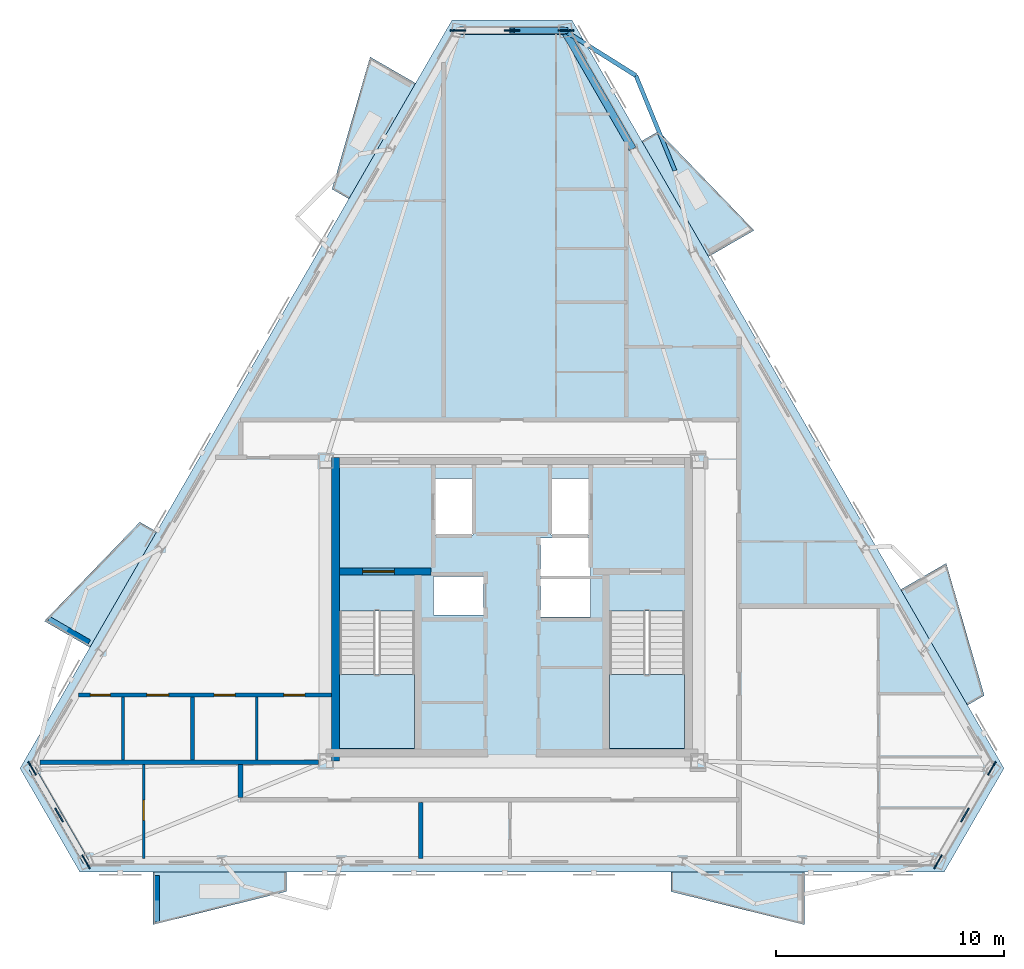
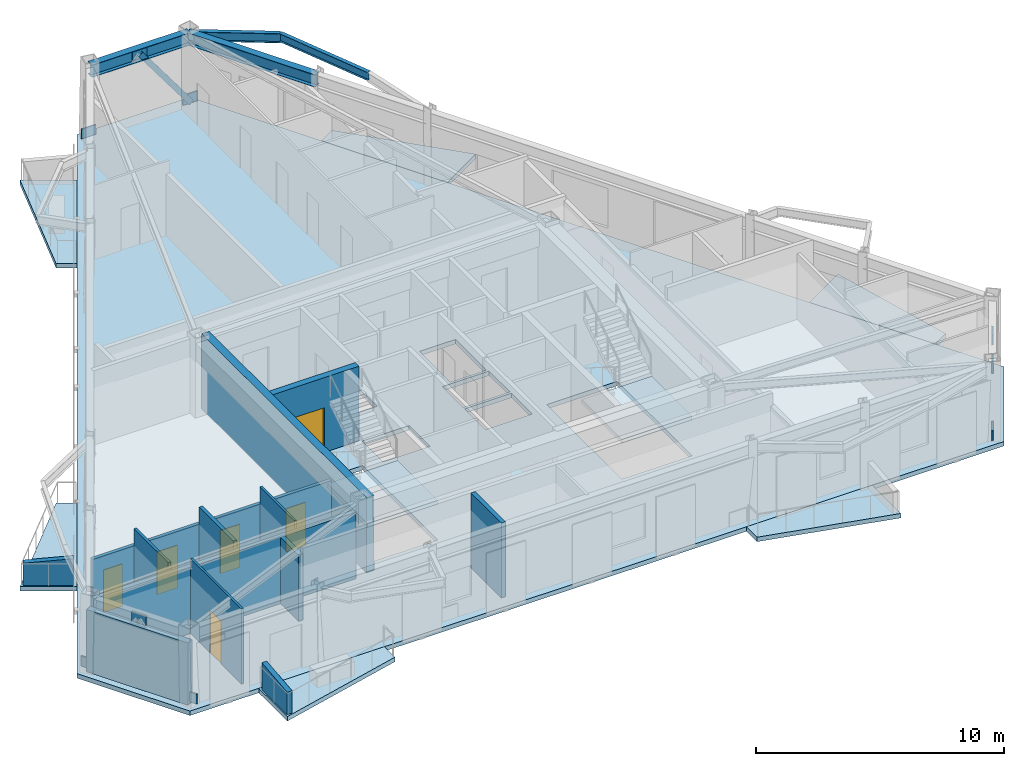
# One storey, part 2 of 9: 13 walls, 9 plates, 9 slabs, 6 doors, 4 beams, 1 member, 6 openings, 2 elements without a shape of their own.
"""IFC4 building model written with IfcOpenShell, lengths in metres."""

import ifcopenshell
import ifcopenshell.guid

model = None  # the IFC model being written
_history = None  # IfcOwnerHistory: only IFC2X3 demands one
_inside = {}  # id of a spatial element -> (the spatial element, [elements in it])
_under = {}  # id of a project, library or spatial element -> (it, [spatial elements below it])
_declared = {}  # id of a project -> (the project, [libraries it declares])
_typed = {}  # id of a type object -> (the type object, [elements of that type])
_made_of = {}  # id of a material, layer set ... -> (it, [elements and type objects made of it])


def new_model(schema):
    """Start an empty IFC model of exactly this schema.

    Asked for "IFC4X3", IfcOpenShell would pick the latest addendum, in which some entities
    have other attributes; the version numbers below select the first issue.
    IFC2X3 requires an IfcOwnerHistory on every rooted entity: one is made here for all.
    """
    global model, _history
    if schema == "IFC4X3":
        model = ifcopenshell.file(schema_version=(4, 3, 0, 0))
    else:
        model = ifcopenshell.file(schema=schema)
    _inside.clear()
    _under.clear()
    _declared.clear()
    _typed.clear()
    _made_of.clear()
    _history = None
    if model.schema == "IFC2X3":
        org = make("IfcOrganization", Name="unknown")
        user = make(
            "IfcPersonAndOrganization",
            ThePerson=make("IfcPerson", FamilyName="unknown"),
            TheOrganization=org,
        )
        app = make(
            "IfcApplication",
            ApplicationDeveloper=org,
            Version="unknown",
            ApplicationFullName="unknown",
            ApplicationIdentifier="unknown",
        )
        _history = make(
            "IfcOwnerHistory",
            OwningUser=user,
            OwningApplication=app,
            ChangeAction="ADDED",
            CreationDate=0,
        )
    return model


def make(cls, **values):
    """One entity of the class cls with the attributes given. An attribute that is None is left unset."""
    return model.create_entity(
        cls, **{name: value for name, value in values.items() if value is not None}
    )


def rooted(cls, **values):
    """An entity with a GlobalId (a new one), such as an element, a storey or a relation."""
    return make(cls, GlobalId=ifcopenshell.guid.new(), OwnerHistory=_history, **values)


def si_unit(unit_type, name, prefix=None):
    """IfcSIUnit, for example si_unit("LENGTHUNIT", "METRE", prefix="MILLI")."""
    return make("IfcSIUnit", UnitType=unit_type, Prefix=prefix, Name=name)


def assignment(units):
    """IfcUnitAssignment: the units of a project."""
    return None if units is None else make("IfcUnitAssignment", Units=units)


def point(xyz):
    """IfcCartesianPoint."""
    return None if xyz is None else make("IfcCartesianPoint", Coordinates=xyz)


def direction(xyz):
    """IfcDirection."""
    return None if xyz is None else make("IfcDirection", DirectionRatios=xyz)


def frame(location, z_axis=None, x_axis=None):
    """IfcAxis2Placement3D, a coordinate frame: its origin and axes. An axis left out is left unset."""
    return make(
        "IfcAxis2Placement3D",
        Location=point(location),
        Axis=direction(z_axis),
        RefDirection=direction(x_axis),
    )


def frame_2d(location, x_axis=None):
    """IfcAxis2Placement2D, a coordinate frame in the plane: its origin and x axis."""
    return make(
        "IfcAxis2Placement2D", Location=point(location), RefDirection=direction(x_axis)
    )


def origin():
    """The frame at (0, 0, 0) with its axes left unset."""
    return frame((0.0, 0.0, 0.0))


def origin_2d():
    """The frame at (0, 0) in the plane with its x axis left unset."""
    return frame_2d((0.0, 0.0))


def place(relative_to, where):
    """IfcLocalPlacement: puts the frame where relative to a parent placement (None: the world)."""
    return make(
        "IfcLocalPlacement", PlacementRelTo=relative_to, RelativePlacement=where
    )


def context(
    kind, dimensions, precision=None, world=None, true_north=None, identifier=None
):
    """IfcGeometricRepresentationContext, for example the 3D "Model" context."""
    return make(
        "IfcGeometricRepresentationContext",
        ContextIdentifier=identifier,
        ContextType=kind,
        CoordinateSpaceDimension=dimensions,
        Precision=precision,
        WorldCoordinateSystem=world,
        TrueNorth=true_north,
    )


def subcontext(parent, identifier, kind, view, scale=None):
    """IfcGeometricRepresentationSubContext, for example "Body" below "Model"."""
    return make(
        "IfcGeometricRepresentationSubContext",
        ContextIdentifier=identifier,
        ContextType=kind,
        ParentContext=parent,
        TargetScale=scale,
        TargetView=view,
    )


def project(units=None, contexts=None):
    """IfcProject with its units and contexts."""
    return rooted(
        "IfcProject",
        Name="project",
        RepresentationContexts=contexts,
        UnitsInContext=assignment(units),
    )


def spatial(cls, under=None, at=None, **own):
    """A site, building, storey or space (cls), placed at a placement, below another one or the project."""
    s = rooted(cls, ObjectPlacement=at, **own)
    if under is not None:
        _under.setdefault(under.id(), (under, []))[1].append(s)
    return s


def polyline(points):
    """IfcPolyline through the points."""
    return make("IfcPolyline", Points=[point(p) for p in points])


def profile(cls, at=None, kind="AREA", **sizes):
    """A parametric profile (cls). Its sizes go by their IFC names, for example OverallWidth=200.0."""
    return make(cls, ProfileType=kind, Position=at, **sizes)


def rectangle(**sizes):
    """IfcRectangleProfileDef."""
    return profile("IfcRectangleProfileDef", **sizes)


def hollow_rectangle(**sizes):
    """IfcRectangleHollowProfileDef."""
    return profile("IfcRectangleHollowProfileDef", **sizes)


def i_section(**sizes):
    """IfcIShapeProfileDef."""
    return profile("IfcIShapeProfileDef", **sizes)


def outline(outer, holes=None, kind="AREA"):
    """IfcArbitraryClosedProfileDef: a profile drawn as a closed curve; with holes, ...WithVoids."""
    if holes is None:
        return make("IfcArbitraryClosedProfileDef", ProfileType=kind, OuterCurve=outer)
    return make(
        "IfcArbitraryProfileDefWithVoids",
        ProfileType=kind,
        OuterCurve=outer,
        InnerCurves=holes,
    )


def extrude(swept, where, along, depth):
    """IfcExtrudedAreaSolid: the profile swept, set in the frame where, extruded along a direction by depth."""
    return make(
        "IfcExtrudedAreaSolid",
        SweptArea=swept,
        Position=where,
        ExtrudedDirection=direction(along),
        Depth=depth,
    )


def shape(context_of_items, identifier, shape_type, items):
    """IfcShapeRepresentation: the items that make up one representation, for example the "Body"."""
    return make(
        "IfcShapeRepresentation",
        ContextOfItems=context_of_items,
        RepresentationIdentifier=identifier,
        RepresentationType=shape_type,
        Items=items,
    )


def material(Name=None, Category=None):
    """IfcMaterial."""
    return make("IfcMaterial", Name=Name, Category=Category)


def layer(
    of_material, thickness, ventilated=None, Name=None, Category=None, Priority=None
):
    """IfcMaterialLayer: one layer of a wall or slab, of a material (None: an air gap)."""
    return make(
        "IfcMaterialLayer",
        Material=of_material,
        LayerThickness=thickness,
        IsVentilated=ventilated,
        Name=Name,
        Category=Category,
        Priority=Priority,
    )


def layer_set(layers, Name=None):
    """IfcMaterialLayerSet."""
    return make("IfcMaterialLayerSet", MaterialLayers=layers, LayerSetName=Name)


def material_profile(
    of_material, cross_section, Name=None, Category=None, Priority=None
):
    """IfcMaterialProfile: a cross section and its material."""
    return make(
        "IfcMaterialProfile",
        Name=Name,
        Material=of_material,
        Profile=cross_section,
        Priority=Priority,
        Category=Category,
    )


def profile_set(profiles, Name=None, composite=None):
    """IfcMaterialProfileSet."""
    return make(
        "IfcMaterialProfileSet",
        Name=Name,
        MaterialProfiles=profiles,
        CompositeProfile=composite,
    )


def made_of(thing, what):
    """Note that an element or type object is made of a material, layer set ...; save() writes the relation."""
    if what is not None:
        _made_of.setdefault(what.id(), (what, []))[1].append(thing)
    return thing


def type_object(cls, material=None, **own):
    """A type object (cls), such as IfcWallType, which elements share."""
    return made_of(rooted(cls, **own), material)


def element(
    cls,
    number,
    at=None,
    inside=None,
    cuts=None,
    type_object=None,
    material=None,
    context=None,
    identifier="Body",
    shape_type=None,
    held_by="IfcProductDefinitionShape",
    body=None,
    shapes=None,
    **own,
):
    """One element of the class cls, such as IfcWall. Its Tag is "e" and its number.

    at: its placement. inside: the storey or other place that contains it. cuts: it is an
    opening in that element (IfcRelVoidsElement). A single representation is given by context,
    identifier, shape_type and body (its items); several are given by shapes. held_by: the class
    of the entity that holds the representations. save() writes the other relations.
    """
    e = rooted(cls, Tag="e%d" % number, ObjectPlacement=at, **own)
    if body is not None:
        shapes = [shape(context, identifier, shape_type, body)]
    if shapes is not None:
        e.Representation = make(held_by, Representations=shapes)
    if inside is not None:
        _inside.setdefault(inside.id(), (inside, []))[1].append(e)
    if cuts is not None:
        rooted(
            "IfcRelVoidsElement", RelatingBuildingElement=cuts, RelatedOpeningElement=e
        )
    if type_object is not None:
        _typed.setdefault(type_object.id(), (type_object, []))[1].append(e)
    return made_of(e, material)


def fill(opening, filler):
    """IfcRelFillsElement: the door or window that sits in an opening."""
    return rooted(
        "IfcRelFillsElement",
        RelatingOpeningElement=opening,
        RelatedBuildingElement=filler,
    )


def aggregate(whole, parts):
    """IfcRelAggregates: a whole, such as a stair, and the parts it consists of."""
    return rooted("IfcRelAggregates", RelatingObject=whole, RelatedObjects=parts)


def save(model, path):
    """Write the relations noted so far, then the file.

    IfcRelAggregates (storeys below a building ...), IfcRelContainedInSpatialStructure (elements
    in a storey), IfcRelDefinesByType, IfcRelAssociatesMaterial and IfcRelDeclares: one each for
    every whole, place, type object, material and project.
    """
    for whole, parts in _under.values():
        aggregate(whole, parts)
    for where, things in _inside.values():
        rooted(
            "IfcRelContainedInSpatialStructure",
            RelatedElements=things,
            RelatingStructure=where,
        )
    for kind, things in _typed.values():
        rooted("IfcRelDefinesByType", RelatedObjects=things, RelatingType=kind)
    for what, things in _made_of.values():
        rooted("IfcRelAssociatesMaterial", RelatedObjects=things, RelatingMaterial=what)
    for by, libraries in _declared.values():
        rooted("IfcRelDeclares", RelatingContext=by, RelatedDefinitions=libraries)
    model.write(path)


model = new_model("IFC4")

# Units and contexts
model_context = context("Model", 3, precision=1e-05, world=origin(), true_north=direction((0.0, 1.0)))
body_context = subcontext(model_context, "Body", "Model", "MODEL_VIEW")
ifc_project = project(units=[si_unit("LENGTHUNIT", "METRE"), si_unit("AREAUNIT", "SQUARE_METRE"), si_unit("VOLUMEUNIT", "CUBIC_METRE"), si_unit("PLANEANGLEUNIT", "RADIAN"), si_unit("MASSUNIT", "GRAM", prefix="KILO")], contexts=[model_context])

# Site, building, storey
site_placement = place(None, origin())
site = spatial("IfcSite", under=ifc_project, at=site_placement, CompositionType="ELEMENT")
building_placement = place(site_placement, origin())
building = spatial("IfcBuilding", under=site, at=building_placement, Name="Oramaril Tower", CompositionType="ELEMENT")
storey_placement = place(building_placement, frame((0.0, 0.0, 273.300048828125)))
storey = spatial("IfcBuildingStorey", under=building, at=storey_placement, Name="L72", CompositionType="ELEMENT", Elevation=273.300048828125)

# Beams
ifc_material_1 = material(Name="Steel ASTM A572 Gr 50", Category="steel")
ifc_material_profile_1 = material_profile(ifc_material_1, i_section(OverallWidth=0.19091796875, OverallDepth=0.45703125, WebThickness=0.009033203125, FlangeThickness=0.014404296875, at=origin_2d()), Name="W18X50")
ifc_profile_set_1 = profile_set([ifc_material_profile_1], Name="Steel ASTM A572 Gr 50")
beam_type_1 = type_object("IfcBeamType", Name="BT-BB1", PredefinedType="BEAM", material=ifc_profile_set_1)
beam_1_placement = place(storey_placement, frame((39.798095703125, 43.013427734375, 3.451416015625), z_axis=(0.846798752878, -0.531913406604, 0.0), x_axis=(0.531913406604, 0.846798752878, 0.0)))
element("IfcBeam", 1, at=beam_1_placement, inside=storey, type_object=beam_type_1, Name="L72 Balcony Column-Framed Cantilever 04.2", PredefinedType="BEAM", context=body_context, shape_type="SweptSolid", body=[
    extrude(i_section(OverallWidth=0.19091796875, OverallDepth=0.45703125, WebThickness=0.009033203125, FlangeThickness=0.014404296875, at=origin_2d()), origin(), (0.0, 0.0, 1.0), 3.699951171875),
])
ifc_material_2 = material(Name="Steel ASTM A572 Gr 50", Category="steel")
ifc_material_profile_2 = material_profile(ifc_material_2, i_section(OverallWidth=0.177978515625, OverallDepth=0.404052734375, WebThickness=0.007568359375, FlangeThickness=0.010986328125, at=origin_2d()), Name="W16X36")
ifc_profile_set_2 = profile_set([ifc_material_profile_2], Name="Steel ASTM A572 Gr 50")
beam_type_2 = type_object("IfcBeamType", Name="BT-SB1", PredefinedType="BEAM", material=ifc_profile_set_2)
beam_2_placement = place(storey_placement, frame((44.640625, 36.8818359375, 3.47802734375), z_axis=(-0.379811104954, 0.925064065108, 0.0), x_axis=(-0.925064065108, -0.379811104954, 0.0)))
element("IfcBeam", 2, at=beam_2_placement, inside=storey, type_object=beam_type_2, Name="L72 Balcony Edge Tie Beam 04", PredefinedType="BEAM", context=body_context, shape_type="SweptSolid", body=[
    extrude(i_section(OverallWidth=0.177978515625, OverallDepth=0.404052734375, WebThickness=0.007568359375, FlangeThickness=0.010986328125, at=origin_2d()), origin(), (0.0, 0.0, 1.0), 4.500732421875),
])
ifc_material_3 = material(Name="Steel ASTM A572 Gr 50", Category="steel")
ifc_material_profile_3 = material_profile(ifc_material_3, i_section(OverallWidth=0.324951171875, OverallDepth=0.612060546875, WebThickness=0.0126953125, FlangeThickness=0.01904296875, at=origin_2d()), Name="W24X104")
ifc_profile_set_3 = profile_set([ifc_material_profile_3], Name="Steel ASTM A572 Gr 50")
beam_type_3 = type_object("IfcBeamType", Name="BT-SP5", PredefinedType="SPANDREL", material=ifc_profile_set_3)
beam_3_placement = place(storey_placement, frame((42.7890625, 37.832763671875, 3.3740234375), z_axis=(-0.499988591591, 0.866031990332, 0.0), x_axis=(-0.866031990332, -0.499988591591, 0.0)))
element("IfcBeam", 3, at=beam_3_placement, inside=storey, type_object=beam_type_3, Name="L72 Perimeter Spandrel 12", PredefinedType="SPANDREL", context=body_context, shape_type="SweptSolid", body=[
    extrude(i_section(OverallWidth=0.324951171875, OverallDepth=0.612060546875, WebThickness=0.0126953125, FlangeThickness=0.01904296875, at=origin_2d()), origin(), (0.0, 0.0, 1.0), 5.982177734375),
])
beam_4_placement = place(storey_placement, frame((39.798095703125, 43.013427734375, 3.3740234375), z_axis=(-1.0, 0.0, 0.0), x_axis=(0.0, -1.0, 0.0)))
element("IfcBeam", 4, at=beam_4_placement, inside=storey, type_object=beam_type_3, Name="L72 Perimeter Spandrel 13", PredefinedType="SPANDREL", context=body_context, shape_type="SweptSolid", body=[
    extrude(i_section(OverallWidth=0.324951171875, OverallDepth=0.612060546875, WebThickness=0.0126953125, FlangeThickness=0.01904296875, at=origin_2d()), origin(), (0.0, 0.0, 1.0), 4.59619140625),
])

# Member
ifc_material_4 = material(Name="Steel ASTM A572 Gr 50", Category="steel")
ifc_material_profile_4 = material_profile(ifc_material_4, hollow_rectangle(XDim=0.25, YDim=0.25, WallThickness=0.011962890625, at=origin_2d()), Name="HSS250X250X12")
ifc_profile_set_4 = profile_set([ifc_material_profile_4], Name="Steel ASTM A572 Gr 50")
member_type = type_object("IfcMemberType", Name="MT-KB3", PredefinedType="BRACE", material=ifc_profile_set_4)
member_placement = place(storey_placement, frame((39.860595703125, 43.02294921875, 0.179931640625), z_axis=(-0.594349579584, 0.0, 0.804206800051), x_axis=(0.0, -1.0, 0.0)))
element("IfcMember", 5, at=member_placement, inside=storey, type_object=member_type, Name="L72 Perimeter Chevron Brace KB-3A", PredefinedType="BRACE", context=body_context, shape_type="SweptSolid", body=[
    extrude(hollow_rectangle(XDim=0.25, YDim=0.25, WallThickness=0.011962890625, at=origin_2d()), origin(), (0.0, 0.0, 1.0), 3.9716796875),
])

# Plates
ifc_material_5 = material(Name="Steel ASTM A572 Gr 50", Category="steel")
ifc_layer_1 = layer(ifc_material_5, 0.06005859375)
ifc_layer_set_1 = layer_set([ifc_layer_1], Name="PLT-G60")
plate_type = type_object("IfcPlateType", Name="PLT-G60", PredefinedType="USERDEFINED", material=ifc_layer_set_1)
for number, where, z_axis, x_axis, name in (
    (6, (17.648193359375, 8.638671875, 3.134033203125), (0.0, 0.0, 1.0), (0.499995465495, -0.866028021766, 0.0), "L72 Chevron Brace Gusset Plate BN-1"),
    (7, (16.468017578125, 10.68310546875, 0.099853515625), (0.0, 0.0, 1.0), (0.499995465495, -0.866028021766, 0.0), "L72 Chevron Brace Gusset Plate BN-1"),
    (8, (18.82861328125, 6.593994140625, 0.099853515625), (0.0, 0.0, 1.0), (0.499995465495, -0.866028021766, 0.0), "L72 Chevron Brace Gusset Plate BN-1"),
    (9, (57.351806640625, 8.638671875, 3.134033203125), (0.0, 0.0, 1.0), (0.499995465495, 0.866028021766, 0.0), "L72 Chevron Brace Gusset Plate BN-1"),
    (10, (56.17138671875, 6.593994140625, 0.099853515625), (0.0, 0.0, 1.0), (0.499995465495, 0.866028021766, 0.0), "L72 Chevron Brace Gusset Plate BN-1"),
    (11, (58.531982421875, 10.68310546875, 0.099853515625), (0.0, 0.0, 1.0), (0.499995465495, 0.866028021766, 0.0), "L72 Chevron Brace Gusset Plate BN-1"),
    (12, (37.5, 43.02294921875, 3.134033203125), (0.0, 0.0, 1.0), (-1.0, 0.0, 0.0), "L72 Chevron Brace Gusset Plate BN-1"),
    (13, (39.860595703125, 43.02294921875, 0.099853515625), (0.0, 0.0, 1.0), (-1.0, 0.0, 0.0), "L72 Chevron Brace Gusset Plate BN-1"),
    (14, (35.139404296875, 43.02294921875, 0.099853515625), (0.0, 0.0, 1.0), (-1.0, 0.0, 0.0), "L72 Chevron Brace Gusset Plate BN-1"),
):
    element("IfcPlate", number, at=place(storey_placement, frame(where, z_axis=z_axis, x_axis=x_axis)), inside=storey, type_object=plate_type, Name=name, ObjectType="GUSSET", PredefinedType="USERDEFINED", context=body_context, shape_type="SweptSolid", body=[
        extrude(rectangle(XDim=0.679931640625, YDim=0.06005859375, at=origin_2d()), origin(), (0.0, 0.0, 1.0), 0.47998046875),
    ])

# Slabs
ifc_material_6 = material(Name="Concrete C40/50", Category="concrete")
ifc_layer_2 = layer(ifc_material_6, 0.199951171875)
ifc_layer_set_2 = layer_set([ifc_layer_2], Name="SLT-BAL20")
slab_type_1 = type_object("IfcSlabType", Name="SLT-BAL20", PredefinedType="FLOOR", material=ifc_layer_set_2)
slab_1_placement = place(storey_placement, frame((0.0, 0.0, -0.219970703125)))
element("IfcSlab", 15, at=slab_1_placement, inside=storey, type_object=slab_type_1, Name="L72 Cantilevered Balcony Slab L72-BAL-S2", PredefinedType="FLOOR", context=body_context, shape_type="SweptSolid", body=[
    extrude(outline(polyline([(44.4619140625, 6.135986328125), (50.31201171875, 6.135986328125), (50.31201171875, 3.833984375), (44.4619140625, 5.2841796875), (44.4619140625, 6.135986328125)])), origin(), (0.0, 0.0, 1.0), 0.219970703125),
])
slab_2_placement = place(storey_placement, frame((0.0, 0.0, -0.219970703125)))
element("IfcSlab", 16, at=slab_2_placement, inside=storey, type_object=slab_type_1, Name="L72 Cantilevered Balcony Slab L72-BAL-NE1", PredefinedType="FLOOR", context=body_context, shape_type="SweptSolid", body=[
    extrude(outline(polyline([(57.461669921875, 13.453369140625), (54.53662109375, 18.51953125), (56.5302734375, 19.67041015625), (58.199462890625, 13.87939453125), (57.461669921875, 13.453369140625)])), origin(), (0.0, 0.0, 1.0), 0.219970703125),
])
slab_3_placement = place(storey_placement, frame((0.0, 0.0, -0.219970703125)))
element("IfcSlab", 17, at=slab_3_placement, inside=storey, type_object=slab_type_1, Name="L72 Cantilevered Balcony Slab L72-BAL-NW2", PredefinedType="FLOOR", context=body_context, shape_type="SweptSolid", body=[
    extrude(outline(polyline([(21.92578125, 21.052734375), (19.0009765625, 15.986328125), (17.00732421875, 17.137451171875), (21.18798828125, 21.478759765625), (21.92578125, 21.052734375)])), origin(), (0.0, 0.0, 1.0), 0.219970703125),
])
ifc_material_7 = material(Name="Concrete C50/60", Category="concrete")
ifc_layer_3 = layer(ifc_material_7, 0.219970703125)
ifc_layer_set_3 = layer_set([ifc_layer_3], Name="SLT-FLR22")
slab_type_2 = type_object("IfcSlabType", Name="SLT-FLR22", PredefinedType="FLOOR", material=ifc_layer_set_3)
slab_4_placement = place(storey_placement, frame((0.0, 0.0, -0.219970703125)))
element("IfcSlab", 18, at=slab_4_placement, inside=storey, type_object=slab_type_2, Name="L72 Structural Floor Slab", PredefinedType="FLOOR", context=body_context, shape_type="SweptSolid", body=[
    extrude(outline(polyline([(15.936767578125, 10.68310546875), (18.56298828125, 6.134033203125), (56.43701171875, 6.134033203125), (59.063232421875, 10.68310546875), (40.126220703125, 43.48291015625), (34.873779296875, 43.48291015625), (15.936767578125, 10.68310546875)]), holes=[polyline([(29.949951171875, 17.58935546875), (29.949951171875, 11.550048828125), (33.219970703125, 11.550048828125), (33.219970703125, 17.58935546875), (29.949951171875, 17.58935546875)]), polyline([(41.780029296875, 17.58935546875), (41.780029296875, 11.550048828125), (45.050048828125, 11.550048828125), (45.050048828125, 17.58935546875), (41.780029296875, 17.58935546875)]), polyline([(34.110107421875, 20.909912109375), (35.7900390625, 20.909912109375), (35.7900390625, 23.389892578125), (34.110107421875, 23.389892578125), (34.110107421875, 20.909912109375)]), polyline([(39.2099609375, 20.909912109375), (40.889892578125, 20.909912109375), (40.889892578125, 23.389892578125), (39.2099609375, 23.389892578125), (39.2099609375, 20.909912109375)]), polyline([(34.06005859375, 17.409912109375), (36.239990234375, 17.409912109375), (36.239990234375, 19.090087890625), (34.06005859375, 19.090087890625), (34.06005859375, 17.409912109375)]), polyline([(38.760009765625, 17.31005859375), (40.93994140625, 17.31005859375), (40.93994140625, 18.989990234375), (38.760009765625, 18.989990234375), (38.760009765625, 17.31005859375)]), polyline([(38.760009765625, 19.110107421875), (40.93994140625, 19.110107421875), (40.93994140625, 20.7900390625), (38.760009765625, 20.7900390625), (38.760009765625, 19.110107421875)])]), origin(), (0.0, 0.0, 1.0), 0.219970703125),
])

# Stair, slab
ifc_material_8 = material(Name="Concrete C50/60", Category="concrete")
stair_type = type_object("IfcStairType", Name="STT-DG-3900", PredefinedType="HALF_TURN_STAIR", material=ifc_material_8)
stair_1_placement = place(storey_placement, origin())
stair_1 = element("IfcStair", 19, at=stair_1_placement, inside=storey, type_object=stair_type, Name="L72 Protected PFP Exit Stair ST-1", PredefinedType="HALF_TURN_STAIR")
ifc_material_9 = material(Name="Concrete C50/60", Category="concrete")
ifc_layer_4 = layer(ifc_material_9, 0.199951171875)
ifc_layer_set_4 = layer_set([ifc_layer_4], Name="SLT-LND20")
slab_type_3 = type_object("IfcSlabType", Name="SLT-LND20", PredefinedType="LANDING", material=ifc_layer_set_4)
slab_5_placement = place(storey_placement, frame((0.0, 0.0, 1.75)))
slab_5 = element("IfcSlab", 20, at=slab_5_placement, type_object=slab_type_3, Name="ST-1 landing 1", PredefinedType="LANDING", context=body_context, shape_type="SweptSolid", body=[
    extrude(outline(polyline([(29.949951171875, 14.7900390625), (29.949951171875, 11.550048828125), (33.219970703125, 11.550048828125), (33.219970703125, 14.7900390625), (29.949951171875, 14.7900390625)])), origin(), (0.0, 0.0, 1.0), 0.199951171875),
])
aggregate(stair_1, [slab_5])

stair_2_placement = place(storey_placement, origin())
stair_2 = element("IfcStair", 21, at=stair_2_placement, inside=storey, type_object=stair_type, Name="L72 Protected PFP Exit Stair ST-2", PredefinedType="HALF_TURN_STAIR")
slab_6_placement = place(storey_placement, frame((0.0, 0.0, 1.75)))
slab_6 = element("IfcSlab", 22, at=slab_6_placement, type_object=slab_type_3, Name="ST-2 landing 1", PredefinedType="LANDING", context=body_context, shape_type="SweptSolid", body=[
    extrude(outline(polyline([(41.780029296875, 14.7900390625), (41.780029296875, 11.550048828125), (45.050048828125, 11.550048828125), (45.050048828125, 14.7900390625), (41.780029296875, 14.7900390625)])), origin(), (0.0, 0.0, 1.0), 0.199951171875),
])
aggregate(stair_2, [slab_6])

# Slabs
ifc_material_10 = material(Name="Concrete C40/50", Category="concrete")
ifc_layer_5 = layer(ifc_material_10, 0.18994140625)
ifc_layer_set_5 = layer_set([ifc_layer_5], Name="SLT-PLN19")
slab_type_4 = type_object("IfcSlabType", Name="SLT-PLN19", PredefinedType="FLOOR", material=ifc_layer_set_5)
slab_7_placement = place(storey_placement, frame((0.0, 0.0, -0.219970703125)))
element("IfcSlab", 23, at=slab_7_placement, inside=storey, type_object=slab_type_4, Name="L72 Tree Planter Balcony Slab L72-BAL-S1", PredefinedType="FLOOR", context=body_context, shape_type="SweptSolid", body=[
    extrude(outline(polyline([(21.762939453125, 6.135986328125), (27.613037109375, 6.135986328125), (27.613037109375, 5.2841796875), (21.762939453125, 3.833984375), (21.762939453125, 6.135986328125)])), origin(), (0.0, 0.0, 1.0), 0.219970703125),
])
slab_8_placement = place(storey_placement, frame((0.0, 0.0, -0.219970703125)))
element("IfcSlab", 24, at=slab_8_placement, inside=storey, type_object=slab_type_4, Name="L72 Tree Planter Balcony Slab L72-BAL-NE2", PredefinedType="FLOOR", context=body_context, shape_type="SweptSolid", body=[
    extrude(outline(polyline([(46.112060546875, 33.111083984375), (43.18701171875, 38.177490234375), (43.9248046875, 38.603515625), (48.105712890625, 34.26220703125), (46.112060546875, 33.111083984375)])), origin(), (0.0, 0.0, 1.0), 0.219970703125),
])
slab_9_placement = place(storey_placement, frame((0.0, 0.0, -0.219970703125)))
element("IfcSlab", 25, at=slab_9_placement, inside=storey, type_object=slab_type_4, Name="L72 Tree Planter Balcony Slab L72-BAL-NW1", PredefinedType="FLOOR", context=body_context, shape_type="SweptSolid", body=[
    extrude(outline(polyline([(33.275390625, 40.710693359375), (30.350341796875, 35.644287109375), (29.612548828125, 36.0703125), (31.28173828125, 41.861572265625), (33.275390625, 40.710693359375)])), origin(), (0.0, 0.0, 1.0), 0.219970703125),
])

# Walls
ifc_material_11 = material(Name="Warm Cream Limestone", Category="masonry")
ifc_layer_6 = layer(ifc_material_11, 0.2900390625)
ifc_layer_set_6 = layer_set([ifc_layer_6], Name="WT-EXT29")
wall_type_1 = type_object("IfcWallType", Name="WT-EXT29", PredefinedType="SOLIDWALL", material=ifc_layer_set_6)
wall_1_placement = place(storey_placement, frame((16.468017578125, 10.68310546875, 0.0), z_axis=(0.0, 0.0, 1.0), x_axis=(0.499959680857, -0.866048680801, 0.0)))
element("IfcWall", 26, at=wall_1_placement, inside=storey, type_object=wall_type_1, Name="L72 Tower Limestone Facade Wall 1M", PredefinedType="SOLIDWALL", context=body_context, shape_type="SweptSolid", body=[
    extrude(rectangle(XDim=4.7216796875, YDim=0.2900390625, at=frame_2d((2.36083984375, 0.0))), origin(), (0.0, 0.0, 1.0), 3.057861328125),
])
ifc_material_12 = material(Name="Concrete C40/50", Category="concrete")
ifc_layer_7 = layer(ifc_material_12, 0.22998046875)
ifc_layer_set_7 = layer_set([ifc_layer_7], Name="WT-PRP23")
wall_type_2 = type_object("IfcWallType", Name="WT-PRP23", PredefinedType="PARAPET", material=ifc_layer_set_7)
for number, where, z_axis, x_axis, name in (
    (27, (21.943115234375, 5.99609375, 0.0), (0.0, 0.0, 1.0), (0.0, -1.0, 0.0), "L72 Trapezoidal Balcony Frame Cheek L72-BAL-S1-L"),
    (28, (18.9697265625, 16.21240234375, 0.0), (0.0, 0.0, 1.0), (-0.866012356593, 0.500022597718, 0.0), "L72 Trapezoidal Balcony Frame Cheek L72-BAL-NW2-R"),
):
    element("IfcWall", number, at=place(storey_placement, frame(where, z_axis=z_axis, x_axis=x_axis)), inside=storey, type_object=wall_type_2, Name=name, PredefinedType="PARAPET", context=body_context, shape_type="SweptSolid", body=[
        extrude(outline(polyline([(0.0, 0.0), (2.0419921875, 0.0), (2.0419921875, 1.099853515625), (0.0, 1.320068359375), (0.0, 0.0)])), frame((0.0, 0.114990234375, 0.0), z_axis=(0.0, -1.0, 0.0), x_axis=(1.0, 0.0, 0.0)), (0.0, 0.0, 1.0), 0.22998046875),
    ])

# Wall, opening, door
ifc_material_13 = material(Name="Acoustic Gypsum Board Partition")
ifc_layer_8 = layer(ifc_material_13, 0.10009765625)
ifc_layer_set_8 = layer_set([ifc_layer_8], Name="WT-PT10")
wall_type_3 = type_object("IfcWallType", Name="WT-PT10", PredefinedType="PARTITIONING", material=ifc_layer_set_8)
wall_2_placement = place(storey_placement, frame((21.360107421875, 6.7431640625, 0.0), z_axis=(0.0, 0.0, 1.0), x_axis=(0.0, 1.0, 0.0)))
wall_2 = element("IfcWall", 29, at=wall_2_placement, inside=storey, type_object=wall_type_3, Name="L72 Interior Partition PT-10", PredefinedType="PARTITIONING", context=body_context, shape_type="SweptSolid", body=[
    extrude(rectangle(XDim=4.102783203125, YDim=0.10009765625, at=frame_2d((2.05126953125, 0.0))), origin(), (0.0, 0.0, 1.0), 3.679931640625),
])
opening_1_placement = place(wall_2_placement, frame((1.663818359375, 0.0, 0.0)))
opening_1 = element("IfcOpeningElement", 30, at=opening_1_placement, cuts=wall_2, Name="Opening D-L72-15", PredefinedType="OPENING", context=body_context, shape_type="SweptSolid", body=[
    extrude(rectangle(XDim=0.8798828125, YDim=2.080078125, at=frame_2d((0.43994140625, 1.0400390625))), frame((0.0, 0.050048828125, 0.0), z_axis=(0.0, -1.0, 0.0), x_axis=(1.0, 0.0, 0.0)), (0.0, 0.0, 1.0), 0.10009765625),
])
ifc_material_14 = material(Name="FSC Brazilian Freijo Hardwood", Category="wood")
door_type_1 = type_object("IfcDoorType", Name="DT-BATH", OperationType="NOTDEFINED", PredefinedType="DOOR", material=ifc_material_14)
door_1_placement = place(opening_1_placement, origin())
door_1 = element("IfcDoor", 31, at=door_1_placement, inside=storey, type_object=door_type_1, Name="L72 Flat L72-U1 Bathroom Door D-L72-15", OperationType="SINGLE_SWING_RIGHT", OverallHeight=2.080078125, OverallWidth=0.8798828125, PredefinedType="DOOR", context=body_context, shape_type="SweptSolid", body=[
    extrude(rectangle(XDim=0.8798828125, YDim=2.080078125, at=frame_2d((0.43994140625, 1.0400390625))), frame((0.0, 0.02490234375, 0.0), z_axis=(0.0, -1.0, 0.0), x_axis=(1.0, 0.0, 0.0)), (0.0, 0.0, 1.0), 0.050048828125),
])
fill(opening_1, door_1)

# Walls
wall_3_placement = place(storey_placement, frame((26.31005859375, 11.053955078125, 0.0), z_axis=(0.0, 0.0, 1.0), x_axis=(0.0, 1.0, 0.0)))
element("IfcWall", 32, at=wall_3_placement, inside=storey, type_object=wall_type_3, Name="L72 Interior Partition PT-10", PredefinedType="PARTITIONING", context=body_context, shape_type="SweptSolid", body=[
    extrude(rectangle(XDim=2.761962890625, YDim=0.10009765625, at=frame_2d((1.380859375, 0.0))), origin(), (0.0, 0.0, 1.0), 3.679931640625),
])
ifc_material_15 = material(Name="Acoustic Gypsum Board Partition")
ifc_layer_9 = layer(ifc_material_15, 0.1201171875)
ifc_layer_set_9 = layer_set([ifc_layer_9], Name="WT-PT12")
wall_type_4 = type_object("IfcWallType", Name="WT-PT12", PredefinedType="PARTITIONING", material=ifc_layer_set_9)
wall_4_placement = place(storey_placement, frame((20.449951171875, 11.053955078125, 0.0), z_axis=(0.0, 0.0, 1.0), x_axis=(0.0, 1.0, 0.0)))
element("IfcWall", 33, at=wall_4_placement, inside=storey, type_object=wall_type_4, Name="L72 Interior Partition PT-12", PredefinedType="PARTITIONING", context=body_context, shape_type="SweptSolid", body=[
    extrude(rectangle(XDim=2.761962890625, YDim=0.1201171875, at=frame_2d((1.380859375, 0.0))), origin(), (0.0, 0.0, 1.0), 3.679931640625),
])

# Wall, openings, doors
ifc_material_16 = material(Name="Acoustic Gypsum Board Partition")
ifc_layer_10 = layer(ifc_material_16, 0.159912109375)
ifc_layer_set_10 = layer_set([ifc_layer_10], Name="WT-PT16")
wall_type_5 = type_object("IfcWallType", Name="WT-PT16", PredefinedType="PARTITIONING", material=ifc_layer_set_10)
wall_5_placement = place(storey_placement, frame((18.497314453125, 13.89990234375, 0.0), z_axis=(0.0, 0.0, 1.0), x_axis=(1.0, 0.0, 0.0)))
wall_5 = element("IfcWall", 34, at=wall_5_placement, inside=storey, type_object=wall_type_5, Name="L72 Interior Partition PT-16", PredefinedType="PARTITIONING", context=body_context, shape_type="SweptSolid", body=[
    extrude(rectangle(XDim=11.088623046875, YDim=0.159912109375, at=frame_2d((5.54443359375, 0.0))), origin(), (0.0, 0.0, 1.0), 2.820068359375),
])
opening_2_placement = place(wall_5_placement, frame((0.521728515625, 0.0, 0.0)))
opening_2 = element("IfcOpeningElement", 35, at=opening_2_placement, cuts=wall_5, Name="Opening D-L72-03", PredefinedType="OPENING", context=body_context, shape_type="SweptSolid", body=[
    extrude(rectangle(XDim=0.8798828125, YDim=2.080078125, at=frame_2d((0.43994140625, 1.0400390625))), frame((0.0, 0.080078125, 0.0), z_axis=(0.0, -1.0, 0.0), x_axis=(1.0, 0.0, 0.0)), (0.0, 0.0, 1.0), 0.159912109375),
])
opening_3_placement = place(wall_5_placement, frame((3.00244140625, 0.0, 0.0)))
opening_3 = element("IfcOpeningElement", 36, at=opening_3_placement, cuts=wall_5, Name="Opening D-L72-04", PredefinedType="OPENING", context=body_context, shape_type="SweptSolid", body=[
    extrude(rectangle(XDim=0.949951171875, YDim=2.10009765625, at=frame_2d((0.47509765625, 1.050048828125))), frame((0.0, 0.080078125, 0.0), z_axis=(0.0, -1.0, 0.0), x_axis=(1.0, 0.0, 0.0)), (0.0, 0.0, 1.0), 0.159912109375),
])
opening_4_placement = place(wall_5_placement, frame((5.94775390625, 0.0, 0.0)))
opening_4 = element("IfcOpeningElement", 37, at=opening_4_placement, cuts=wall_5, Name="Opening D-L72-05", PredefinedType="OPENING", context=body_context, shape_type="SweptSolid", body=[
    extrude(rectangle(XDim=0.919921875, YDim=2.1201171875, at=frame_2d((0.4599609375, 1.06005859375))), frame((0.0, 0.080078125, 0.0), z_axis=(0.0, -1.0, 0.0), x_axis=(1.0, 0.0, 0.0)), (0.0, 0.0, 1.0), 0.159912109375),
])
opening_5_placement = place(wall_5_placement, frame((9.0029296875, 0.0, 0.0)))
opening_5 = element("IfcOpeningElement", 38, at=opening_5_placement, cuts=wall_5, Name="Opening D-L72-06", PredefinedType="OPENING", context=body_context, shape_type="SweptSolid", body=[
    extrude(rectangle(XDim=0.919921875, YDim=2.1201171875, at=frame_2d((0.4599609375, 1.06005859375))), frame((0.0, 0.080078125, 0.0), z_axis=(0.0, -1.0, 0.0), x_axis=(1.0, 0.0, 0.0)), (0.0, 0.0, 1.0), 0.159912109375),
])
door_2_placement = place(opening_2_placement, origin())
door_2 = element("IfcDoor", 39, at=door_2_placement, inside=storey, type_object=door_type_1, Name="L72 Flat L72-U3 Bathroom Door D-L72-03", OperationType="SINGLE_SWING_RIGHT", OverallHeight=2.080078125, OverallWidth=0.8798828125, PredefinedType="DOOR", context=body_context, shape_type="SweptSolid", body=[
    extrude(rectangle(XDim=0.8798828125, YDim=2.080078125, at=frame_2d((0.43994140625, 1.0400390625))), frame((0.0, 0.02490234375, 0.0), z_axis=(0.0, -1.0, 0.0), x_axis=(1.0, 0.0, 0.0)), (0.0, 0.0, 1.0), 0.050048828125),
])
fill(opening_2, door_2)
ifc_material_17 = material(Name="FSC Brazilian Freijo Hardwood", Category="wood")
door_type_2 = type_object("IfcDoorType", Name="DT-BED", OperationType="NOTDEFINED", PredefinedType="DOOR", material=ifc_material_17)
door_3_placement = place(opening_4_placement, origin())
door_3 = element("IfcDoor", 40, at=door_3_placement, inside=storey, type_object=door_type_2, Name="L72 Flat L72-U3 Bedroom 2 Door D-L72-05", OperationType="SINGLE_SWING_RIGHT", OverallHeight=2.1201171875, OverallWidth=0.919921875, PredefinedType="DOOR", context=body_context, shape_type="SweptSolid", body=[
    extrude(rectangle(XDim=0.919921875, YDim=2.1201171875, at=frame_2d((0.4599609375, 1.06005859375))), frame((0.0, 0.02490234375, 0.0), z_axis=(0.0, -1.0, 0.0), x_axis=(1.0, 0.0, 0.0)), (0.0, 0.0, 1.0), 0.050048828125),
])
fill(opening_4, door_3)
door_4_placement = place(opening_5_placement, origin())
door_4 = element("IfcDoor", 41, at=door_4_placement, inside=storey, type_object=door_type_2, Name="L72 Flat L72-U3 Master Bedroom Door D-L72-06", OperationType="SINGLE_SWING_LEFT", OverallHeight=2.1201171875, OverallWidth=0.919921875, PredefinedType="DOOR", context=body_context, shape_type="SweptSolid", body=[
    extrude(rectangle(XDim=0.919921875, YDim=2.1201171875, at=frame_2d((0.4599609375, 1.06005859375))), frame((0.0, 0.02490234375, 0.0), z_axis=(0.0, -1.0, 0.0), x_axis=(1.0, 0.0, 0.0)), (0.0, 0.0, 1.0), 0.050048828125),
])
fill(opening_5, door_4)
ifc_material_18 = material(Name="FSC Brazilian Freijo Hardwood", Category="wood")
door_type_3 = type_object("IfcDoorType", Name="DT-STDY", OperationType="NOTDEFINED", PredefinedType="DOOR", material=ifc_material_18)
door_5_placement = place(opening_3_placement, origin())
door_5 = element("IfcDoor", 42, at=door_5_placement, inside=storey, type_object=door_type_3, Name="L72 Flat L72-U3 Kitchen Door D-L72-04", OperationType="SINGLE_SWING_LEFT", OverallHeight=2.10009765625, OverallWidth=0.949951171875, PredefinedType="DOOR", context=body_context, shape_type="SweptSolid", body=[
    extrude(rectangle(XDim=0.949951171875, YDim=2.10009765625, at=frame_2d((0.47509765625, 1.050048828125))), frame((0.0, 0.02490234375, 0.0), z_axis=(0.0, -1.0, 0.0), x_axis=(1.0, 0.0, 0.0)), (0.0, 0.0, 1.0), 0.050048828125),
])
fill(opening_3, door_5)

# Walls
wall_6_placement = place(storey_placement, frame((23.5, 11.053955078125, 0.0), z_axis=(0.0, 0.0, 1.0), x_axis=(0.0, 1.0, 0.0)))
element("IfcWall", 43, at=wall_6_placement, inside=storey, type_object=wall_type_5, Name="L72 Interior Partition PT-16", PredefinedType="PARTITIONING", context=body_context, shape_type="SweptSolid", body=[
    extrude(rectangle(XDim=2.761962890625, YDim=0.159912109375, at=frame_2d((1.380859375, 0.0))), origin(), (0.0, 0.0, 1.0), 3.679931640625),
])
ifc_material_19 = material(Name="Autoclaved Cellular Concrete Block", Category="concrete")
ifc_layer_11 = layer(ifc_material_19, 0.199951171875)
ifc_layer_set_11 = layer_set([ifc_layer_11], Name="WT-PT20")
wall_type_6 = type_object("IfcWallType", Name="WT-PT20", PredefinedType="PARTITIONING", material=ifc_layer_set_11)
wall_7_placement = place(storey_placement, frame((16.802734375, 10.949951171875, 0.0), z_axis=(0.0, 0.0, 1.0), x_axis=(1.0, 0.0, 0.0)))
element("IfcWall", 44, at=wall_7_placement, inside=storey, type_object=wall_type_6, Name="L72 Interior Partition PT-20", PredefinedType="PARTITIONING", context=body_context, shape_type="SweptSolid", body=[
    extrude(rectangle(XDim=12.207275390625, YDim=0.199951171875, at=frame_2d((6.103515625, 0.0))), origin(), (0.0, 0.0, 1.0), 3.265869140625),
])
wall_8_placement = place(storey_placement, frame((25.60009765625, 9.404052734375, 0.0), z_axis=(0.0, 0.0, 1.0), x_axis=(0.0, 1.0, 0.0)))
element("IfcWall", 45, at=wall_8_placement, inside=storey, type_object=wall_type_6, Name="L72 Interior Partition PT-20", PredefinedType="PARTITIONING", context=body_context, shape_type="SweptSolid", body=[
    extrude(rectangle(XDim=1.44189453125, YDim=0.199951171875, at=frame_2d((0.720947265625, 0.0))), origin(), (0.0, 0.0, 1.0), 3.265869140625),
])
wall_9_placement = place(storey_placement, frame((33.5, 6.7431640625, 0.0), z_axis=(0.0, 0.0, 1.0), x_axis=(0.0, 1.0, 0.0)))
element("IfcWall", 46, at=wall_9_placement, inside=storey, type_object=wall_type_6, Name="L72 Interior Partition PT-20", PredefinedType="PARTITIONING", context=body_context, shape_type="SweptSolid", body=[
    extrude(rectangle(XDim=2.452880859375, YDim=0.199951171875, at=frame_2d((1.2265625, 0.0))), origin(), (0.0, 0.0, 1.0), 3.679931640625),
])

# Wall, opening, door
ifc_material_20 = material(Name="Concrete C50/60", Category="concrete")
ifc_layer_12 = layer(ifc_material_20, 0.300048828125)
ifc_layer_set_12 = layer_set([ifc_layer_12], Name="WT-SH30")
wall_type_7 = type_object("IfcWallType", Name="WT-SH30", PredefinedType="SHEAR", material=ifc_layer_set_12)
wall_10_placement = place(storey_placement, frame((29.93994140625, 19.31005859375, 0.0), z_axis=(0.0, 0.0, 1.0), x_axis=(1.0, 0.0, 0.0)))
wall_10 = element("IfcWall", 47, at=wall_10_placement, inside=storey, type_object=wall_type_7, Name="L72 Core Shear Wall CW-ST1N", PredefinedType="SHEAR", context=body_context, shape_type="SweptSolid", body=[
    extrude(rectangle(XDim=4.010009765625, YDim=0.300048828125, at=frame_2d((2.0048828125, 0.0))), origin(), (0.0, 0.0, 1.0), 3.679931640625),
])
opening_6_placement = place(wall_10_placement, frame((1.010009765625, 0.0, 0.0)))
opening_6 = element("IfcOpeningElement", 48, at=opening_6_placement, cuts=wall_10, Name="Opening D-L72-ST1", PredefinedType="OPENING", context=body_context, shape_type="SweptSolid", body=[
    extrude(rectangle(XDim=1.39990234375, YDim=2.199951171875, at=frame_2d((0.699951171875, 1.10009765625))), frame((0.0, 0.14990234375, 0.0), z_axis=(0.0, -1.0, 0.0), x_axis=(1.0, 0.0, 0.0)), (0.0, 0.0, 1.0), 0.300048828125),
])
ifc_material_21 = material(Name="Painted Galvanised Steel", Category="steel")
door_type_4 = type_object("IfcDoorType", Name="DT-ST", OperationType="NOTDEFINED", PredefinedType="DOOR", material=ifc_material_21)
door_6_placement = place(opening_6_placement, origin())
door_6 = element("IfcDoor", 49, at=door_6_placement, inside=storey, type_object=door_type_4, Name="L72 Protected Stair ST-1 Fire Door", OperationType="SINGLE_SWING_LEFT", OverallHeight=2.199951171875, OverallWidth=1.39990234375, PredefinedType="DOOR", context=body_context, shape_type="SweptSolid", body=[
    extrude(rectangle(XDim=1.39990234375, YDim=2.199951171875, at=frame_2d((0.699951171875, 1.10009765625))), frame((0.0, 0.02490234375, 0.0), z_axis=(0.0, -1.0, 0.0), x_axis=(1.0, 0.0, 0.0)), (0.0, 0.0, 1.0), 0.050048828125),
])
fill(opening_6, door_6)

# Wall
ifc_material_22 = material(Name="Concrete C50/60", Category="concrete")
ifc_layer_13 = layer(ifc_material_22, 0.35009765625)
ifc_layer_set_13 = layer_set([ifc_layer_13], Name="WT-SH35")
wall_type_8 = type_object("IfcWallType", Name="WT-SH35", PredefinedType="SHEAR", material=ifc_layer_set_13)
wall_11_placement = place(storey_placement, frame((29.764892578125, 11.0, 0.0), z_axis=(0.0, 0.0, 1.0), x_axis=(0.0, 1.0, 0.0)))
element("IfcWall", 50, at=wall_11_placement, inside=storey, type_object=wall_type_8, Name="L72 Core Shear Wall CW-W", PredefinedType="SHEAR", context=body_context, shape_type="SweptSolid", body=[
    extrude(rectangle(XDim=13.300048828125, YDim=0.35009765625, at=frame_2d((6.64990234375, 0.0))), origin(), (0.0, 0.0, 1.0), 3.679931640625),
])

save(model, "model.ifc")
